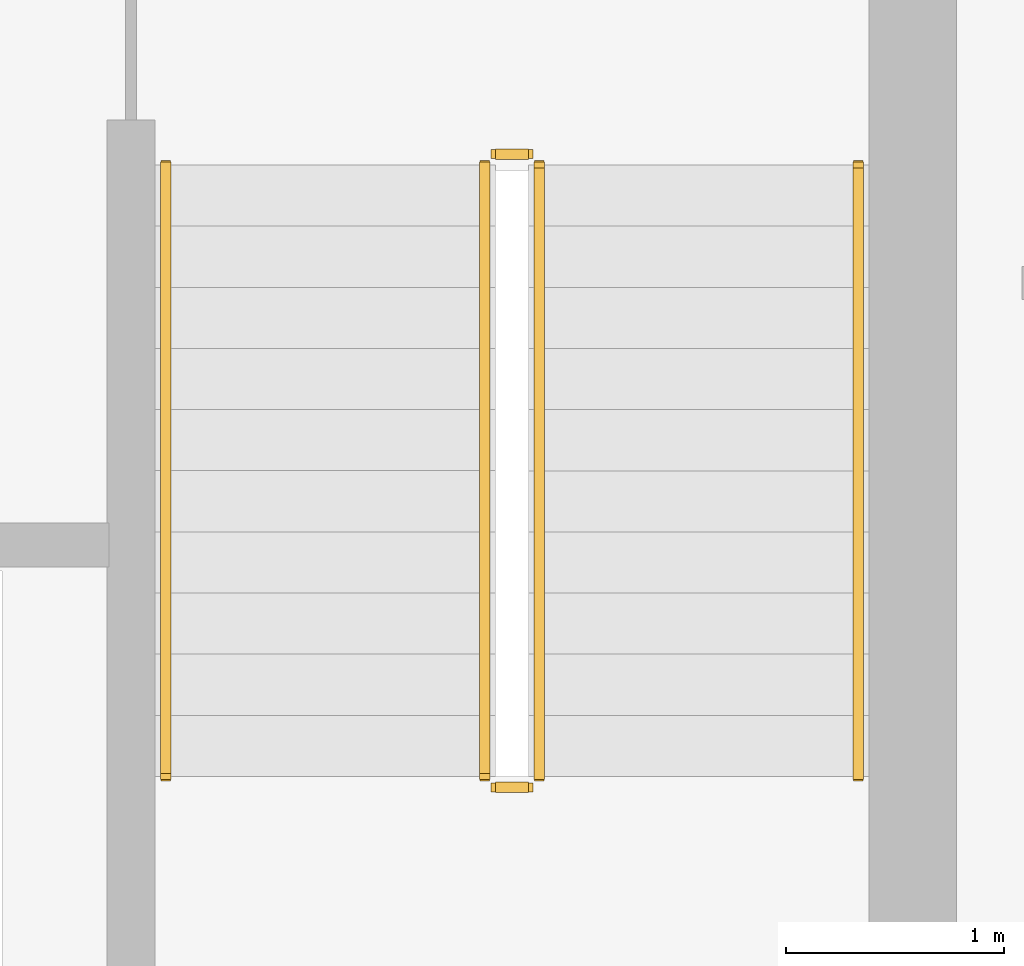
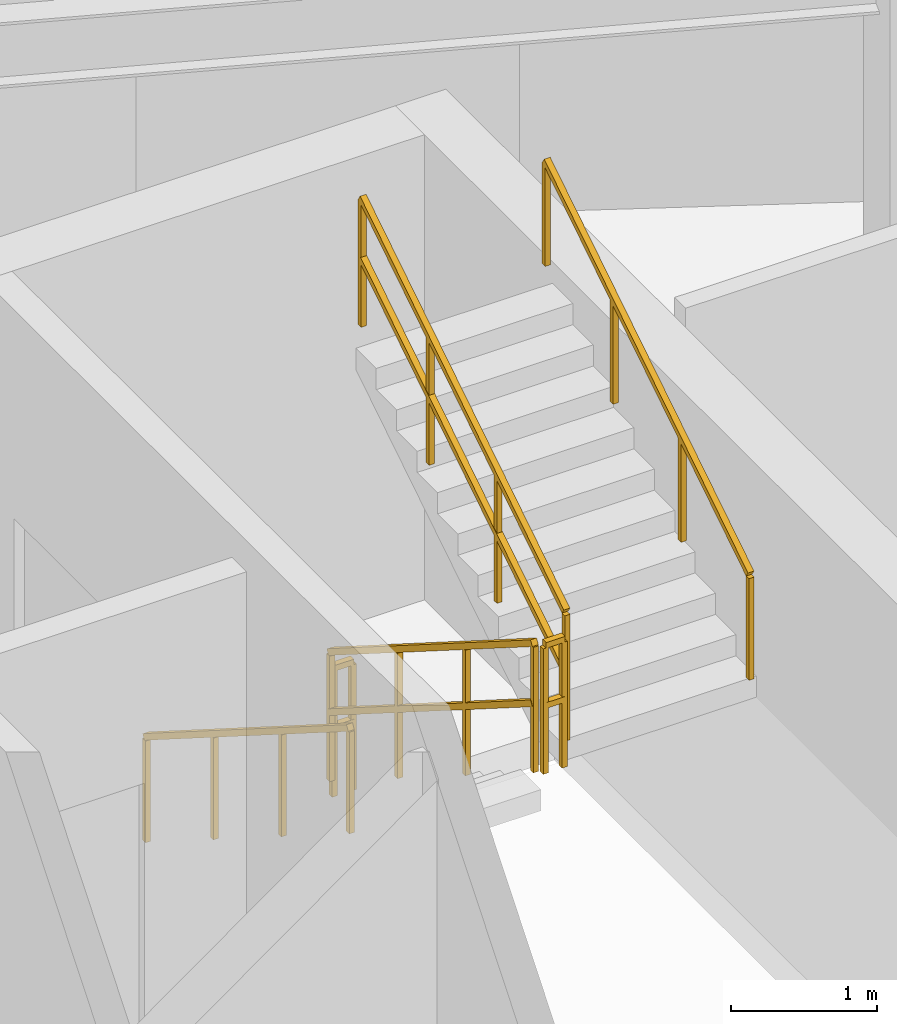
# One storey, part 11 of 11: 6 railings.
"""IFC4 building model written with IfcOpenShell, lengths in metres."""

from ifc_helpers import new_model, si_unit, direction, frame, origin, origin_2d, place, context, subcontext, project, spatial, rectangle, extrude, material, type_object, element, save


model = new_model("IFC4")

# Units and contexts
model_context = context("Model", 3, precision=1e-05, world=origin(), true_north=direction((0.0, 1.0)))
body_context = subcontext(model_context, "Body", "Model", "MODEL_VIEW")
ifc_project = project(units=[si_unit("LENGTHUNIT", "METRE"), si_unit("AREAUNIT", "SQUARE_METRE"), si_unit("VOLUMEUNIT", "CUBIC_METRE"), si_unit("PLANEANGLEUNIT", "RADIAN"), si_unit("MASSUNIT", "GRAM", prefix="KILO")], contexts=[model_context])

# Site, building, storey
site_placement = place(None, origin())
site = spatial("IfcSite", under=ifc_project, at=site_placement, CompositionType="ELEMENT")
building_placement = place(site_placement, origin())
building = spatial("IfcBuilding", under=site, at=building_placement, Name="Breltana Convention Tower", CompositionType="ELEMENT")
storey_placement = place(building_placement, frame((0.0, 0.0, 275.699951171875)))
storey = spatial("IfcBuildingStorey", under=building, at=storey_placement, Name="L67", CompositionType="ELEMENT", Elevation=275.699951171875)

# Railings
ifc_material_1 = material(Name="Steel S275 Painted", Category="steel")
railing_type_1 = type_object("IfcRailingType", Name="RL-STAIR-GUARD-1100", PredefinedType="GUARDRAIL", material=ifc_material_1)
railing_1_placement = place(storey_placement, frame((57.0400390625, 70.0400390625, 0.17724609375)))
element("IfcRailing", 1, at=railing_1_placement, inside=storey, type_object=railing_type_1, Name="L67 ST-2 stair guard 1", PredefinedType="GUARDRAIL", context=body_context, shape_type="SweptSolid", body=[
    extrude(rectangle(XDim=0.048095703125, YDim=0.048095703125, at=origin_2d()), frame((0.0, 0.0, 1.076171875), z_axis=(0.0, -0.844908973607, 0.534910110503), x_axis=(1.0, 0.0, 0.0)), (0.0, 0.0, 1.0), 3.31396484375),
    extrude(rectangle(XDim=0.048095703125, YDim=0.048095703125, at=origin_2d()), frame((0.0, 0.0, 0.572021484375), z_axis=(0.0, -0.844908973607, 0.534910110503), x_axis=(1.0, 0.0, 0.0)), (0.0, 0.0, 1.0), 3.31396484375),
    extrude(rectangle(XDim=0.0419921875, YDim=0.0419921875, at=origin_2d()), origin(), (0.0, 0.0, 1.0), 1.052001953125),
    extrude(rectangle(XDim=0.0419921875, YDim=0.0419921875, at=origin_2d()), frame((0.0, -0.933349609375, 0.5908203125)), (0.0, 0.0, 1.0), 1.052001953125),
    extrude(rectangle(XDim=0.0419921875, YDim=0.0419921875, at=origin_2d()), frame((0.0, -1.86669921875, 1.181884765625)), (0.0, 0.0, 1.0), 1.052001953125),
    extrude(rectangle(XDim=0.0419921875, YDim=0.0419921875, at=origin_2d()), frame((0.0, -2.800048828125, 1.772705078125)), (0.0, 0.0, 1.0), 1.052001953125),
])
railing_2_placement = place(storey_placement, frame((57.090087890625, 67.18994140625, 1.949951171875)))
element("IfcRailing", 2, at=railing_2_placement, inside=storey, type_object=railing_type_1, Name="L67 ST-2 stair guard 2", PredefinedType="GUARDRAIL", context=body_context, shape_type="SweptSolid", body=[
    extrude(rectangle(XDim=0.048095703125, YDim=0.048095703125, at=origin_2d()), frame((0.0, 0.0, 1.076171875), z_axis=(1.0, 0.0, 0.0), x_axis=(0.0, 1.0, 0.0)), (0.0, 0.0, 1.0), 0.14990234375),
    extrude(rectangle(XDim=0.048095703125, YDim=0.048095703125, at=origin_2d()), frame((0.0, 0.0, 0.572021484375), z_axis=(1.0, 0.0, 0.0), x_axis=(0.0, 1.0, 0.0)), (0.0, 0.0, 1.0), 0.14990234375),
    extrude(rectangle(XDim=0.0419921875, YDim=0.0419921875, at=origin_2d()), origin(), (0.0, 0.0, 1.0), 1.052001953125),
    extrude(rectangle(XDim=0.0419921875, YDim=0.0419921875, at=origin_2d()), frame((0.14990234375, 0.0, 0.0)), (0.0, 0.0, 1.0), 1.052001953125),
])
railing_3_placement = place(storey_placement, frame((57.2900390625, 67.239990234375, 2.12744140625)))
element("IfcRailing", 3, at=railing_3_placement, inside=storey, type_object=railing_type_1, Name="L67 ST-2 stair guard 3", PredefinedType="GUARDRAIL", context=body_context, shape_type="SweptSolid", body=[
    extrude(rectangle(XDim=0.048095703125, YDim=0.048095703125, at=origin_2d()), frame((0.0, 0.0, 1.076171875), z_axis=(0.0, 0.844908973607, 0.534910110503), x_axis=(-1.0, 0.0, 0.0)), (0.0, 0.0, 1.0), 3.31396484375),
    extrude(rectangle(XDim=0.048095703125, YDim=0.048095703125, at=origin_2d()), frame((0.0, 0.0, 0.572021484375), z_axis=(0.0, 0.844908973607, 0.534910110503), x_axis=(-1.0, 0.0, 0.0)), (0.0, 0.0, 1.0), 3.31396484375),
    extrude(rectangle(XDim=0.0419921875, YDim=0.0419921875, at=origin_2d()), origin(), (0.0, 0.0, 1.0), 1.052001953125),
    extrude(rectangle(XDim=0.0419921875, YDim=0.0419921875, at=origin_2d()), frame((0.0, 0.933349609375, 0.5908203125)), (0.0, 0.0, 1.0), 1.052001953125),
    extrude(rectangle(XDim=0.0419921875, YDim=0.0419921875, at=origin_2d()), frame((0.0, 1.86669921875, 1.181884765625)), (0.0, 0.0, 1.0), 1.052001953125),
    extrude(rectangle(XDim=0.0419921875, YDim=0.0419921875, at=origin_2d()), frame((0.0, 2.800048828125, 1.772705078125)), (0.0, 0.0, 1.0), 1.052001953125),
])
railing_4_placement = place(storey_placement, frame((57.090087890625, 70.090087890625, 0.0)))
element("IfcRailing", 4, at=railing_4_placement, inside=storey, type_object=railing_type_1, Name="L67 ST-2 stair guard 4", PredefinedType="GUARDRAIL", context=body_context, shape_type="SweptSolid", body=[
    extrude(rectangle(XDim=0.048095703125, YDim=0.048095703125, at=origin_2d()), frame((0.0, 0.0, 1.076171875), z_axis=(1.0, 0.0, 0.0), x_axis=(0.0, 1.0, 0.0)), (0.0, 0.0, 1.0), 0.14990234375),
    extrude(rectangle(XDim=0.048095703125, YDim=0.048095703125, at=origin_2d()), frame((0.0, 0.0, 0.572021484375), z_axis=(1.0, 0.0, 0.0), x_axis=(0.0, 1.0, 0.0)), (0.0, 0.0, 1.0), 0.14990234375),
    extrude(rectangle(XDim=0.0419921875, YDim=0.0419921875, at=origin_2d()), origin(), (0.0, 0.0, 1.0), 1.052001953125),
    extrude(rectangle(XDim=0.0419921875, YDim=0.0419921875, at=origin_2d()), frame((0.14990234375, 0.0, 0.0)), (0.0, 0.0, 1.0), 1.052001953125),
])
ifc_material_2 = material(Name="Stainless Steel 316L", Category="steel")
railing_type_2 = type_object("IfcRailingType", Name="RL-STAIR-HANDRAIL-900", PredefinedType="HANDRAIL", material=ifc_material_2)
railing_5_placement = place(storey_placement, frame((55.580078125, 70.0400390625, 0.17724609375)))
element("IfcRailing", 5, at=railing_5_placement, inside=storey, type_object=railing_type_2, Name="L67 ST-2 stair handrail 1", PredefinedType="HANDRAIL", context=body_context, shape_type="SweptSolid", body=[
    extrude(rectangle(XDim=0.048095703125, YDim=0.048095703125, at=origin_2d()), frame((0.0, 0.0, 0.8759765625), z_axis=(0.0, -0.844908973607, 0.534910110503), x_axis=(1.0, 0.0, 0.0)), (0.0, 0.0, 1.0), 3.31396484375),
    extrude(rectangle(XDim=0.0419921875, YDim=0.0419921875, at=origin_2d()), origin(), (0.0, 0.0, 1.0), 0.851806640625),
    extrude(rectangle(XDim=0.0419921875, YDim=0.0419921875, at=origin_2d()), frame((0.0, -0.933349609375, 0.5908203125)), (0.0, 0.0, 1.0), 0.851806640625),
    extrude(rectangle(XDim=0.0419921875, YDim=0.0419921875, at=origin_2d()), frame((0.0, -1.86669921875, 1.181884765625)), (0.0, 0.0, 1.0), 0.851806640625),
    extrude(rectangle(XDim=0.0419921875, YDim=0.0419921875, at=origin_2d()), frame((0.0, -2.800048828125, 1.772705078125)), (0.0, 0.0, 1.0), 0.851806640625),
])
railing_6_placement = place(storey_placement, frame((58.75, 67.239990234375, 2.12744140625)))
element("IfcRailing", 6, at=railing_6_placement, inside=storey, type_object=railing_type_2, Name="L67 ST-2 stair handrail 2", PredefinedType="HANDRAIL", context=body_context, shape_type="SweptSolid", body=[
    extrude(rectangle(XDim=0.048095703125, YDim=0.048095703125, at=origin_2d()), frame((0.0, 0.0, 0.8759765625), z_axis=(0.0, 0.844908973607, 0.534910110503), x_axis=(-1.0, 0.0, 0.0)), (0.0, 0.0, 1.0), 3.31396484375),
    extrude(rectangle(XDim=0.0419921875, YDim=0.0419921875, at=origin_2d()), origin(), (0.0, 0.0, 1.0), 0.851806640625),
    extrude(rectangle(XDim=0.0419921875, YDim=0.0419921875, at=origin_2d()), frame((0.0, 0.933349609375, 0.5908203125)), (0.0, 0.0, 1.0), 0.851806640625),
    extrude(rectangle(XDim=0.0419921875, YDim=0.0419921875, at=origin_2d()), frame((0.0, 1.86669921875, 1.181884765625)), (0.0, 0.0, 1.0), 0.851806640625),
    extrude(rectangle(XDim=0.0419921875, YDim=0.0419921875, at=origin_2d()), frame((0.0, 2.800048828125, 1.772705078125)), (0.0, 0.0, 1.0), 0.851806640625),
])

save(model, "model.ifc")
